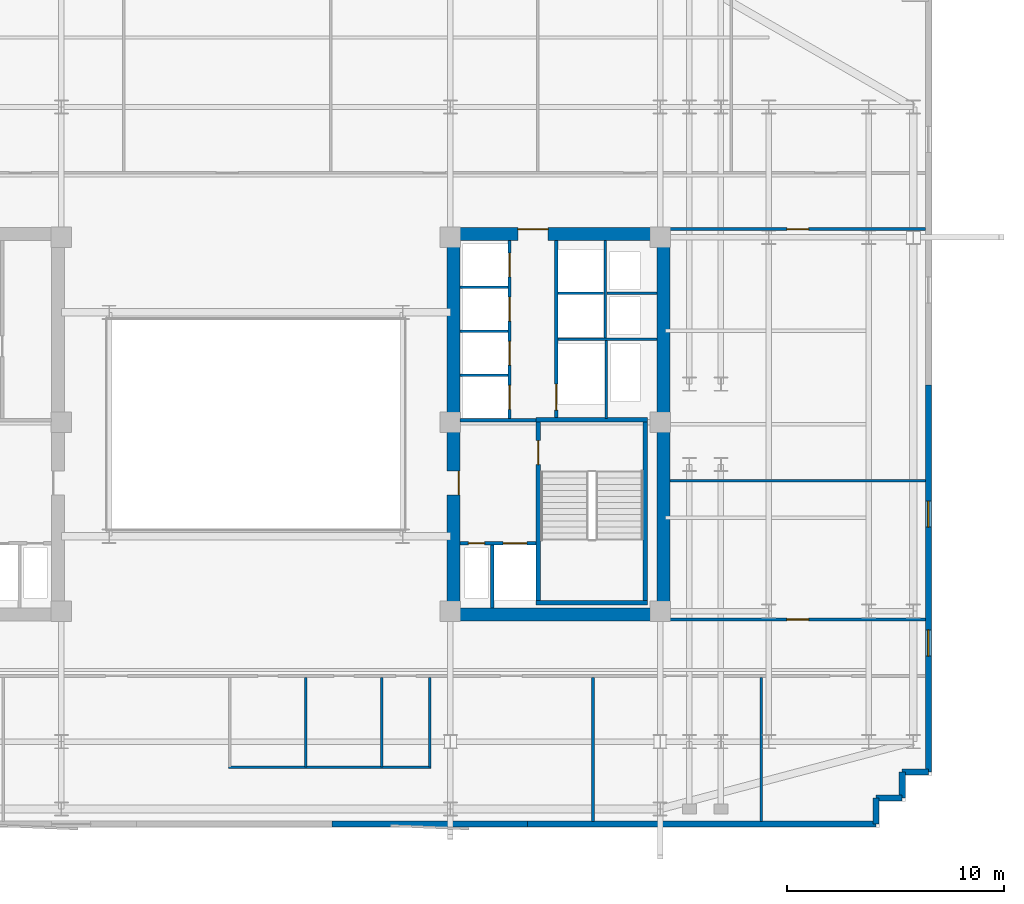
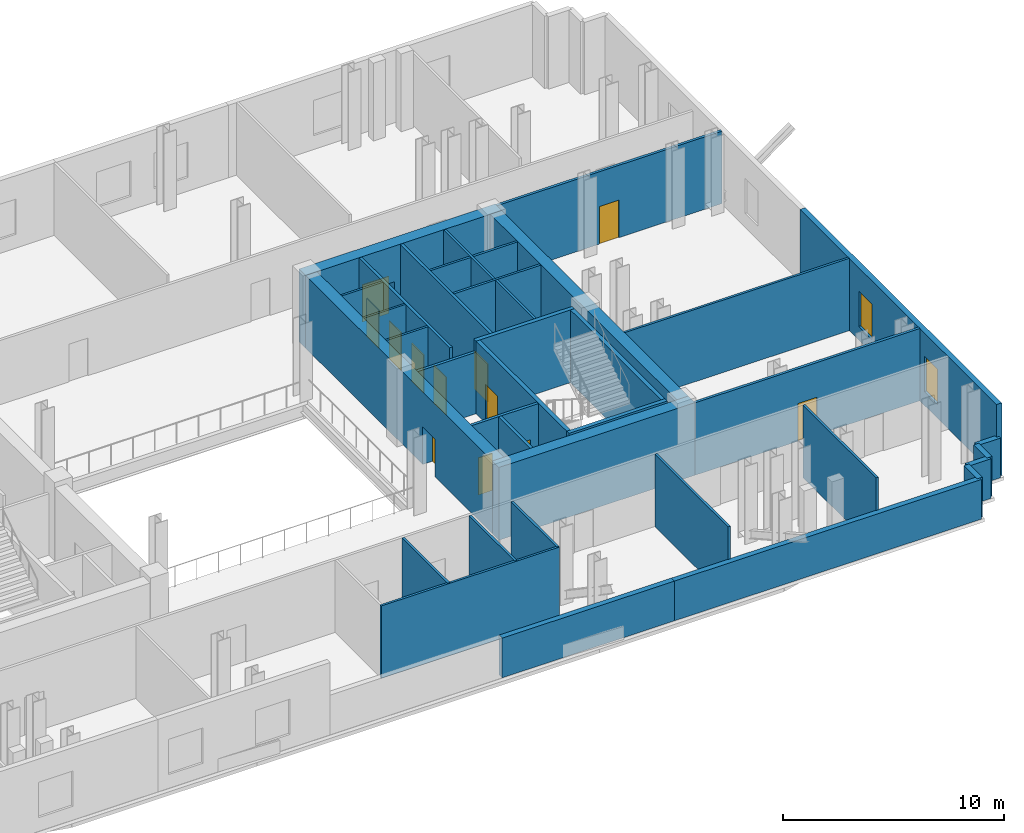
# One storey, part 6 of 9: 37 walls, 12 doors, 2 windows, 14 openings.
"""IFC4 building model written with IfcOpenShell, lengths in metres."""

import ifcopenshell
import ifcopenshell.guid

model = None  # the IFC model being written
_history = None  # IfcOwnerHistory: only IFC2X3 demands one
_inside = {}  # id of a spatial element -> (the spatial element, [elements in it])
_under = {}  # id of a project, library or spatial element -> (it, [spatial elements below it])
_declared = {}  # id of a project -> (the project, [libraries it declares])
_typed = {}  # id of a type object -> (the type object, [elements of that type])
_made_of = {}  # id of a material, layer set ... -> (it, [elements and type objects made of it])


def new_model(schema):
    """Start an empty IFC model of exactly this schema.

    Asked for "IFC4X3", IfcOpenShell would pick the latest addendum, in which some entities
    have other attributes; the version numbers below select the first issue.
    IFC2X3 requires an IfcOwnerHistory on every rooted entity: one is made here for all.
    """
    global model, _history
    if schema == "IFC4X3":
        model = ifcopenshell.file(schema_version=(4, 3, 0, 0))
    else:
        model = ifcopenshell.file(schema=schema)
    _inside.clear()
    _under.clear()
    _declared.clear()
    _typed.clear()
    _made_of.clear()
    _history = None
    if model.schema == "IFC2X3":
        org = make("IfcOrganization", Name="unknown")
        user = make(
            "IfcPersonAndOrganization",
            ThePerson=make("IfcPerson", FamilyName="unknown"),
            TheOrganization=org,
        )
        app = make(
            "IfcApplication",
            ApplicationDeveloper=org,
            Version="unknown",
            ApplicationFullName="unknown",
            ApplicationIdentifier="unknown",
        )
        _history = make(
            "IfcOwnerHistory",
            OwningUser=user,
            OwningApplication=app,
            ChangeAction="ADDED",
            CreationDate=0,
        )
    return model


def make(cls, **values):
    """One entity of the class cls with the attributes given. An attribute that is None is left unset."""
    return model.create_entity(
        cls, **{name: value for name, value in values.items() if value is not None}
    )


def rooted(cls, **values):
    """An entity with a GlobalId (a new one), such as an element, a storey or a relation."""
    return make(cls, GlobalId=ifcopenshell.guid.new(), OwnerHistory=_history, **values)


def si_unit(unit_type, name, prefix=None):
    """IfcSIUnit, for example si_unit("LENGTHUNIT", "METRE", prefix="MILLI")."""
    return make("IfcSIUnit", UnitType=unit_type, Prefix=prefix, Name=name)


def assignment(units):
    """IfcUnitAssignment: the units of a project."""
    return None if units is None else make("IfcUnitAssignment", Units=units)


def point(xyz):
    """IfcCartesianPoint."""
    return None if xyz is None else make("IfcCartesianPoint", Coordinates=xyz)


def direction(xyz):
    """IfcDirection."""
    return None if xyz is None else make("IfcDirection", DirectionRatios=xyz)


def frame(location, z_axis=None, x_axis=None):
    """IfcAxis2Placement3D, a coordinate frame: its origin and axes. An axis left out is left unset."""
    return make(
        "IfcAxis2Placement3D",
        Location=point(location),
        Axis=direction(z_axis),
        RefDirection=direction(x_axis),
    )


def frame_2d(location, x_axis=None):
    """IfcAxis2Placement2D, a coordinate frame in the plane: its origin and x axis."""
    return make(
        "IfcAxis2Placement2D", Location=point(location), RefDirection=direction(x_axis)
    )


def origin():
    """The frame at (0, 0, 0) with its axes left unset."""
    return frame((0.0, 0.0, 0.0))


def place(relative_to, where):
    """IfcLocalPlacement: puts the frame where relative to a parent placement (None: the world)."""
    return make(
        "IfcLocalPlacement", PlacementRelTo=relative_to, RelativePlacement=where
    )


def context(
    kind, dimensions, precision=None, world=None, true_north=None, identifier=None
):
    """IfcGeometricRepresentationContext, for example the 3D "Model" context."""
    return make(
        "IfcGeometricRepresentationContext",
        ContextIdentifier=identifier,
        ContextType=kind,
        CoordinateSpaceDimension=dimensions,
        Precision=precision,
        WorldCoordinateSystem=world,
        TrueNorth=true_north,
    )


def subcontext(parent, identifier, kind, view, scale=None):
    """IfcGeometricRepresentationSubContext, for example "Body" below "Model"."""
    return make(
        "IfcGeometricRepresentationSubContext",
        ContextIdentifier=identifier,
        ContextType=kind,
        ParentContext=parent,
        TargetScale=scale,
        TargetView=view,
    )


def project(units=None, contexts=None):
    """IfcProject with its units and contexts."""
    return rooted(
        "IfcProject",
        Name="project",
        RepresentationContexts=contexts,
        UnitsInContext=assignment(units),
    )


def spatial(cls, under=None, at=None, **own):
    """A site, building, storey or space (cls), placed at a placement, below another one or the project."""
    s = rooted(cls, ObjectPlacement=at, **own)
    if under is not None:
        _under.setdefault(under.id(), (under, []))[1].append(s)
    return s


def profile(cls, at=None, kind="AREA", **sizes):
    """A parametric profile (cls). Its sizes go by their IFC names, for example OverallWidth=200.0."""
    return make(cls, ProfileType=kind, Position=at, **sizes)


def rectangle(**sizes):
    """IfcRectangleProfileDef."""
    return profile("IfcRectangleProfileDef", **sizes)


def extrude(swept, where, along, depth):
    """IfcExtrudedAreaSolid: the profile swept, set in the frame where, extruded along a direction by depth."""
    return make(
        "IfcExtrudedAreaSolid",
        SweptArea=swept,
        Position=where,
        ExtrudedDirection=direction(along),
        Depth=depth,
    )


def shape(context_of_items, identifier, shape_type, items):
    """IfcShapeRepresentation: the items that make up one representation, for example the "Body"."""
    return make(
        "IfcShapeRepresentation",
        ContextOfItems=context_of_items,
        RepresentationIdentifier=identifier,
        RepresentationType=shape_type,
        Items=items,
    )


def material(Name=None, Category=None):
    """IfcMaterial."""
    return make("IfcMaterial", Name=Name, Category=Category)


def layer(
    of_material, thickness, ventilated=None, Name=None, Category=None, Priority=None
):
    """IfcMaterialLayer: one layer of a wall or slab, of a material (None: an air gap)."""
    return make(
        "IfcMaterialLayer",
        Material=of_material,
        LayerThickness=thickness,
        IsVentilated=ventilated,
        Name=Name,
        Category=Category,
        Priority=Priority,
    )


def layer_set(layers, Name=None):
    """IfcMaterialLayerSet."""
    return make("IfcMaterialLayerSet", MaterialLayers=layers, LayerSetName=Name)


def made_of(thing, what):
    """Note that an element or type object is made of a material, layer set ...; save() writes the relation."""
    if what is not None:
        _made_of.setdefault(what.id(), (what, []))[1].append(thing)
    return thing


def type_object(cls, material=None, **own):
    """A type object (cls), such as IfcWallType, which elements share."""
    return made_of(rooted(cls, **own), material)


def element(
    cls,
    number,
    at=None,
    inside=None,
    cuts=None,
    type_object=None,
    material=None,
    context=None,
    identifier="Body",
    shape_type=None,
    held_by="IfcProductDefinitionShape",
    body=None,
    shapes=None,
    **own,
):
    """One element of the class cls, such as IfcWall. Its Tag is "e" and its number.

    at: its placement. inside: the storey or other place that contains it. cuts: it is an
    opening in that element (IfcRelVoidsElement). A single representation is given by context,
    identifier, shape_type and body (its items); several are given by shapes. held_by: the class
    of the entity that holds the representations. save() writes the other relations.
    """
    e = rooted(cls, Tag="e%d" % number, ObjectPlacement=at, **own)
    if body is not None:
        shapes = [shape(context, identifier, shape_type, body)]
    if shapes is not None:
        e.Representation = make(held_by, Representations=shapes)
    if inside is not None:
        _inside.setdefault(inside.id(), (inside, []))[1].append(e)
    if cuts is not None:
        rooted(
            "IfcRelVoidsElement", RelatingBuildingElement=cuts, RelatedOpeningElement=e
        )
    if type_object is not None:
        _typed.setdefault(type_object.id(), (type_object, []))[1].append(e)
    return made_of(e, material)


def fill(opening, filler):
    """IfcRelFillsElement: the door or window that sits in an opening."""
    return rooted(
        "IfcRelFillsElement",
        RelatingOpeningElement=opening,
        RelatedBuildingElement=filler,
    )


def aggregate(whole, parts):
    """IfcRelAggregates: a whole, such as a stair, and the parts it consists of."""
    return rooted("IfcRelAggregates", RelatingObject=whole, RelatedObjects=parts)


def save(model, path):
    """Write the relations noted so far, then the file.

    IfcRelAggregates (storeys below a building ...), IfcRelContainedInSpatialStructure (elements
    in a storey), IfcRelDefinesByType, IfcRelAssociatesMaterial and IfcRelDeclares: one each for
    every whole, place, type object, material and project.
    """
    for whole, parts in _under.values():
        aggregate(whole, parts)
    for where, things in _inside.values():
        rooted(
            "IfcRelContainedInSpatialStructure",
            RelatedElements=things,
            RelatingStructure=where,
        )
    for kind, things in _typed.values():
        rooted("IfcRelDefinesByType", RelatedObjects=things, RelatingType=kind)
    for what, things in _made_of.values():
        rooted("IfcRelAssociatesMaterial", RelatedObjects=things, RelatingMaterial=what)
    for by, libraries in _declared.values():
        rooted("IfcRelDeclares", RelatingContext=by, RelatedDefinitions=libraries)
    model.write(path)


model = new_model("IFC4")

# Units and contexts
model_context = context("Model", 3, precision=1e-05, world=origin(), true_north=direction((0.0, 1.0)))
body_context = subcontext(model_context, "Body", "Model", "MODEL_VIEW")
ifc_project = project(units=[si_unit("LENGTHUNIT", "METRE"), si_unit("AREAUNIT", "SQUARE_METRE"), si_unit("VOLUMEUNIT", "CUBIC_METRE"), si_unit("PLANEANGLEUNIT", "RADIAN"), si_unit("MASSUNIT", "GRAM", prefix="KILO")], contexts=[model_context])

# Site, building, storey
site_placement = place(None, origin())
site = spatial("IfcSite", under=ifc_project, at=site_placement, CompositionType="ELEMENT")
building_placement = place(site_placement, origin())
building = spatial("IfcBuilding", under=site, at=building_placement, Name="Velakula Bourse", CompositionType="ELEMENT")
storey_placement = place(building_placement, frame((0.0, 0.0, 151.89990234375)))
storey = spatial("IfcBuildingStorey", under=building, at=storey_placement, Name="L41", CompositionType="ELEMENT", Elevation=151.89990234375)

# Wall, opening, door
ifc_material_1 = material(Name="Concrete M50 (fck 50 MPa)", Category="concrete")
ifc_layer_1 = layer(ifc_material_1, 0.2099609375, Name="Concrete M50 (fck 50 MPa)", Category="concrete")
ifc_layer_set_1 = layer_set([ifc_layer_1], Name="Concrete M50 (fck 50 MPa)")
wall_type_1 = type_object("IfcWallType", Name="WL-CORE-210", PredefinedType="SHEAR", material=ifc_layer_set_1)
wall_1_placement = place(storey_placement, frame((12.9951171875, -8.10009765625, 0.0), z_axis=(0.0, 0.0, 1.0), x_axis=(0.0, 1.0, 0.0)))
wall_1 = element("IfcWall", 1, at=wall_1_placement, inside=storey, type_object=wall_type_1, Name="L41 Core E Stairwell Shear Wall IN", PredefinedType="SHEAR", context=body_context, shape_type="SweptSolid", body=[
    extrude(rectangle(XDim=8.2001953125, YDim=0.2099609375, at=frame_2d((4.10009765625, 0.0))), origin(), (0.0, 0.0, 1.0), 4.02001953125),
])
opening_1_placement = place(wall_1_placement, frame((6.25, 0.0, 0.0)))
opening_1 = element("IfcOpeningElement", 2, at=opening_1_placement, cuts=wall_1, Name="Opening D-STE1", PredefinedType="OPENING", context=body_context, shape_type="SweptSolid", body=[
    extrude(rectangle(XDim=1.10009765625, YDim=2.14990234375, at=frame_2d((0.550048828125, 1.074951171875))), frame((0.0, 0.114990234375, 0.0), z_axis=(0.0, -1.0, 0.0), x_axis=(1.0, 0.0, 0.0)), (0.0, 0.0, 1.0), 0.22998046875),
])
ifc_material_2 = material(Name="Galvanised painted hollow steel fire door", Category="steel")
door_type_1 = type_object("IfcDoorType", Name="DR-FD120-1100x2150", OperationType="NOTDEFINED", PredefinedType="DOOR", material=ifc_material_2)
door_1_placement = place(opening_1_placement, origin())
door_1 = element("IfcDoor", 3, at=door_1_placement, inside=storey, type_object=door_type_1, Name="L41 Stair ST-E1 Fire Door", OperationType="SINGLE_SWING_RIGHT", OverallHeight=2.14990234375, OverallWidth=1.10009765625, PredefinedType="DOOR", context=body_context, shape_type="SweptSolid", body=[
    extrude(rectangle(XDim=1.10009765625, YDim=2.14990234375, at=frame_2d((0.550048828125, 1.074951171875))), frame((0.0, 0.02490234375, 0.0), z_axis=(0.0, -1.0, 0.0), x_axis=(1.0, 0.0, 0.0)), (0.0, 0.0, 1.0), 0.050048828125),
])
fill(opening_1, door_1)

# Walls
wall_2_placement = place(storey_placement, frame((17.925048828125, -8.10009765625, 0.0), z_axis=(0.0, 0.0, 1.0), x_axis=(0.0, 1.0, 0.0)))
element("IfcWall", 4, at=wall_2_placement, inside=storey, type_object=wall_type_1, Name="L41 Core E Stairwell Shear Wall OUT", PredefinedType="SHEAR", context=body_context, shape_type="SweptSolid", body=[
    extrude(rectangle(XDim=8.2001953125, YDim=0.2099609375, at=frame_2d((4.10009765625, 0.0))), origin(), (0.0, 0.0, 1.0), 4.02001953125),
])
for number, where, z_axis, x_axis, name in (
    (5, (12.889892578125, -8.205078125, 0.0), (0.0, 0.0, 1.0), (1.0, 0.0, 0.0), "L41 Core E Stairwell Shear Wall S"),
    (6, (18.030029296875, 0.205078125, 0.0), (0.0, 0.0, 1.0), (-1.0, 0.0, 0.0), "L41 Core E Stairwell Shear Wall N"),
):
    element("IfcWall", number, at=place(storey_placement, frame(where, z_axis=z_axis, x_axis=x_axis)), inside=storey, type_object=wall_type_1, Name=name, PredefinedType="SHEAR", context=body_context, shape_type="SweptSolid", body=[
        extrude(rectangle(XDim=5.14013671875, YDim=0.2099609375, at=frame_2d((2.570068359375, 0.0))), origin(), (0.0, 0.0, 1.0), 4.02001953125),
    ])
ifc_material_3 = material(Name="Concrete M70 (fck 70 MPa)", Category="concrete")
ifc_layer_2 = layer(ifc_material_3, 0.60009765625, Name="Concrete M70 (fck 70 MPa)", Category="concrete")
ifc_layer_set_2 = layer_set([ifc_layer_2], Name="Concrete M70 (fck 70 MPa)")
wall_type_2 = type_object("IfcWallType", Name="WL-CORE-600", PredefinedType="SHEAR", material=ifc_layer_set_2)
wall_3_placement = place(storey_placement, frame((8.800048828125, -8.75, 0.0), z_axis=(0.0, 0.0, 1.0), x_axis=(1.0, 0.0, 0.0)))
element("IfcWall", 7, at=wall_3_placement, inside=storey, type_object=wall_type_2, Name="L41 Core E Shear Wall S", PredefinedType="SHEAR", context=body_context, shape_type="SweptSolid", body=[
    extrude(rectangle(XDim=10.25, YDim=0.60009765625, at=frame_2d((5.125, 0.0))), origin(), (0.0, 0.0, 1.0), 4.02001953125),
])

# Wall, opening, door
wall_4_placement = place(storey_placement, frame((8.800048828125, 8.75, 0.0), z_axis=(0.0, 0.0, 1.0), x_axis=(1.0, 0.0, 0.0)))
wall_4 = element("IfcWall", 8, at=wall_4_placement, inside=storey, type_object=wall_type_2, Name="L41 Core E Shear Wall N", PredefinedType="SHEAR", context=body_context, shape_type="SweptSolid", body=[
    extrude(rectangle(XDim=10.25, YDim=0.60009765625, at=frame_2d((5.125, 0.0))), origin(), (0.0, 0.0, 1.0), 4.02001953125),
])
opening_2_placement = place(wall_4_placement, frame((3.25, 0.0, 0.0)))
opening_2 = element("IfcOpeningElement", 9, at=opening_2_placement, cuts=wall_4, Name="Opening D-LLE", PredefinedType="OPENING", context=body_context, shape_type="SweptSolid", body=[
    extrude(rectangle(XDim=1.39990234375, YDim=2.050048828125, at=frame_2d((0.699951171875, 1.02490234375))), frame((0.0, 0.31005859375, 0.0), z_axis=(0.0, -1.0, 0.0), x_axis=(1.0, 0.0, 0.0)), (0.0, 0.0, 1.0), 0.6201171875),
])
ifc_material_4 = material(Name="Fire-rated hardwood flush architectural door", Category="wood")
door_type_2 = type_object("IfcDoorType", Name="DR-DBL-FD60-1400", OperationType="DOUBLE_DOOR_SINGLE_SWING", PredefinedType="DOOR", material=ifc_material_4)
door_2_placement = place(opening_2_placement, origin())
door_2 = element("IfcDoor", 10, at=door_2_placement, inside=storey, type_object=door_type_2, Name="L41 Core E Lift Lobby Corridor Double Door", OperationType="DOUBLE_DOOR_SINGLE_SWING", OverallHeight=2.050048828125, OverallWidth=1.39990234375, PredefinedType="DOOR", context=body_context, shape_type="SweptSolid", body=[
    extrude(rectangle(XDim=1.39990234375, YDim=2.050048828125, at=frame_2d((0.699951171875, 1.02490234375))), frame((0.0, 0.2451171875, 0.0), z_axis=(0.0, -1.0, 0.0), x_axis=(1.0, 0.0, 0.0)), (0.0, 0.0, 1.0), 0.050048828125),
])
fill(opening_2, door_2)

wall_5_placement = place(storey_placement, frame((9.10009765625, -8.449951171875, 0.0), z_axis=(0.0, 0.0, 1.0), x_axis=(0.0, 1.0, 0.0)))
wall_5 = element("IfcWall", 11, at=wall_5_placement, inside=storey, type_object=wall_type_2, Name="L41 Core E Shear Wall W", PredefinedType="SHEAR", context=body_context, shape_type="SweptSolid", body=[
    extrude(rectangle(XDim=16.89990234375, YDim=0.60009765625, at=frame_2d((8.449951171875, 0.0))), origin(), (0.0, 0.0, 1.0), 4.02001953125),
])
opening_3_placement = place(wall_5_placement, frame((5.199951171875, 0.0, 0.0)))
opening_3 = element("IfcOpeningElement", 12, at=opening_3_placement, cuts=wall_5, Name="Opening D-FLE", PredefinedType="OPENING", context=body_context, shape_type="SweptSolid", body=[
    extrude(rectangle(XDim=1.10009765625, YDim=2.080078125, at=frame_2d((0.550048828125, 1.0400390625))), frame((0.0, 0.31005859375, 0.0), z_axis=(0.0, -1.0, 0.0), x_axis=(1.0, 0.0, 0.0)), (0.0, 0.0, 1.0), 0.6201171875),
])
door_type_3 = type_object("IfcDoorType", Name="DR-FD120-1100", OperationType="NOTDEFINED", PredefinedType="DOOR", material=ifc_material_2)
door_3_placement = place(opening_3_placement, origin())
door_3 = element("IfcDoor", 13, at=door_3_placement, inside=storey, type_object=door_type_3, Name="L41 Firefighting Lobby E Corridor Fire Door", OperationType="SINGLE_SWING_RIGHT", OverallHeight=2.080078125, OverallWidth=1.10009765625, PredefinedType="DOOR", context=body_context, shape_type="SweptSolid", body=[
    extrude(rectangle(XDim=1.10009765625, YDim=2.080078125, at=frame_2d((0.550048828125, 1.0400390625))), frame((0.0, -0.205078125, 0.0), z_axis=(0.0, -1.0, 0.0), x_axis=(1.0, 0.0, 0.0)), (0.0, 0.0, 1.0), 0.050048828125),
])
fill(opening_3, door_3)

# Walls
wall_6_placement = place(storey_placement, frame((18.75, -8.449951171875, 0.0), z_axis=(0.0, 0.0, 1.0), x_axis=(0.0, 1.0, 0.0)))
element("IfcWall", 14, at=wall_6_placement, inside=storey, type_object=wall_type_2, Name="L41 Core E Shear Wall E", PredefinedType="SHEAR", context=body_context, shape_type="SweptSolid", body=[
    extrude(rectangle(XDim=16.89990234375, YDim=0.60009765625, at=frame_2d((8.449951171875, 0.0))), origin(), (0.0, 0.0, 1.0), 4.02001953125),
])
ifc_material_5 = material(Name="Red kilned clay facing brick masonry", Category="masonry")
ifc_layer_3 = layer(ifc_material_5, 0.280029296875, Name="Red kilned clay facing brick masonry", Category="masonry")
ifc_layer_set_3 = layer_set([ifc_layer_3], Name="Red kilned clay facing brick masonry")
wall_type_3 = type_object("IfcWallType", Name="WL-EXT-BRK-280", PredefinedType="STANDARD", material=ifc_layer_set_3)
wall_7_placement = place(storey_placement, frame((12.5, -18.389892578125, 0.0), z_axis=(0.0, 0.0, 1.0), x_axis=(-1.0, 0.0, 0.0)))
element("IfcWall", 15, at=wall_7_placement, inside=storey, type_object=wall_type_3, Name="L41 S Brick Spandrel Wall B4", PredefinedType="STANDARD", context=body_context, shape_type="SweptSolid", body=[
    extrude(rectangle(XDim=9.0, YDim=0.280029296875, at=frame_2d((4.5, 0.0))), origin(), (0.0, 0.0, 1.0), 2.195068359375),
])
wall_8_placement = place(storey_placement, frame((28.5400390625, -18.389892578125, 0.0), z_axis=(0.0, 0.0, 1.0), x_axis=(-1.0, 0.0, 0.0)))
element("IfcWall", 16, at=wall_8_placement, inside=storey, type_object=wall_type_3, Name="L41 S Brick Spandrel Wall B5", PredefinedType="STANDARD", context=body_context, shape_type="SweptSolid", body=[
    extrude(rectangle(XDim=16.0400390625, YDim=0.280029296875, at=frame_2d((8.02001953125, 0.0))), origin(), (0.0, 0.0, 1.0), 2.195068359375),
])

# Wall, openings, windows
wall_9_placement = place(storey_placement, frame((30.93994140625, 1.800048828125, 0.0), z_axis=(0.0, 0.0, 1.0), x_axis=(0.0, -1.0, 0.0)))
wall_9 = element("IfcWall", 17, at=wall_9_placement, inside=storey, type_object=wall_type_3, Name="L41 E Brick End Wall W1", PredefinedType="STANDARD", context=body_context, shape_type="SweptSolid", body=[
    extrude(rectangle(XDim=17.7900390625, YDim=0.280029296875, at=frame_2d((8.89501953125, 0.0))), origin(), (0.0, 0.0, 1.0), 4.0),
])
opening_4_placement = place(wall_9_placement, frame((5.330078125, 0.0, 0.760009765625)))
opening_4 = element("IfcOpeningElement", 18, at=opening_4_placement, cuts=wall_9, Name="Opening W-04", PredefinedType="OPENING", context=body_context, shape_type="SweptSolid", body=[
    extrude(rectangle(XDim=1.199951171875, YDim=1.949951171875, at=frame_2d((0.60009765625, 0.97509765625))), frame((0.0, 0.14990234375, 0.0), z_axis=(0.0, -1.0, 0.0), x_axis=(1.0, 0.0, 0.0)), (0.0, 0.0, 1.0), 0.300048828125),
])
opening_5_placement = place(wall_9_placement, frame((11.260009765625, 0.0, 0.760009765625)))
opening_5 = element("IfcOpeningElement", 19, at=opening_5_placement, cuts=wall_9, Name="Opening W-04", PredefinedType="OPENING", context=body_context, shape_type="SweptSolid", body=[
    extrude(rectangle(XDim=1.199951171875, YDim=1.949951171875, at=frame_2d((0.60009765625, 0.97509765625))), frame((0.0, 0.14990234375, 0.0), z_axis=(0.0, -1.0, 0.0), x_axis=(1.0, 0.0, 0.0)), (0.0, 0.0, 1.0), 0.300048828125),
])
ifc_material_6 = material(Name="Double-glazed solar-control Low-E glass", Category="glass")
window_type = type_object("IfcWindowType", Name="WIN-TWR-1200x2100", PartitioningType="SINGLE_PANEL", PredefinedType="WINDOW", material=ifc_material_6)
window_1_placement = place(opening_4_placement, origin())
window_1 = element("IfcWindow", 20, at=window_1_placement, inside=storey, type_object=window_type, Name="L41 Deep-Set Recessed Window 1", OverallHeight=1.949951171875, OverallWidth=1.199951171875, PartitioningType="SINGLE_PANEL", PredefinedType="WINDOW", context=body_context, shape_type="SweptSolid", body=[
    extrude(rectangle(XDim=1.199951171875, YDim=1.949951171875, at=frame_2d((0.60009765625, 0.97509765625))), frame((0.0, 0.030029296875, 0.0), z_axis=(0.0, -1.0, 0.0), x_axis=(1.0, 0.0, 0.0)), (0.0, 0.0, 1.0), 0.06005859375),
])
fill(opening_4, window_1)
window_2_placement = place(opening_5_placement, origin())
window_2 = element("IfcWindow", 21, at=window_2_placement, inside=storey, type_object=window_type, Name="L41 Deep-Set Recessed Window 2", OverallHeight=1.949951171875, OverallWidth=1.199951171875, PartitioningType="SINGLE_PANEL", PredefinedType="WINDOW", context=body_context, shape_type="SweptSolid", body=[
    extrude(rectangle(XDim=1.199951171875, YDim=1.949951171875, at=frame_2d((0.60009765625, 0.97509765625))), frame((0.0, 0.030029296875, 0.0), z_axis=(0.0, -1.0, 0.0), x_axis=(1.0, 0.0, 0.0)), (0.0, 0.0, 1.0), 0.06005859375),
])
fill(opening_5, window_2)

# Walls
for number, where, z_axis, x_axis, name in (
    (22, (28.5400390625, -18.389892578125, 0.0), (0.0, 0.0, 1.0), (0.0, 1.0, 0.0), "L41 Serrated Corner Brick Wall SE-1"),
    (23, (28.5400390625, -17.18994140625, 0.0), (0.0, 0.0, 1.0), (1.0, 0.0, 0.0), "L41 Serrated Corner Brick Wall SE-2"),
    (24, (29.739990234375, -17.18994140625, 0.0), (0.0, 0.0, 1.0), (0.0, 1.0, 0.0), "L41 Serrated Corner Brick Wall SE-3"),
    (25, (29.739990234375, -15.989990234375, 0.0), (0.0, 0.0, 1.0), (1.0, 0.0, 0.0), "L41 Serrated Corner Brick Wall SE-4"),
):
    element("IfcWall", number, at=place(storey_placement, frame(where, z_axis=z_axis, x_axis=x_axis)), inside=storey, type_object=wall_type_3, Name=name, PredefinedType="STANDARD", context=body_context, shape_type="SweptSolid", body=[
        extrude(rectangle(XDim=1.199951171875, YDim=0.280029296875, at=frame_2d((0.60009765625, 0.0))), origin(), (0.0, 0.0, 1.0), 2.195068359375),
    ])
ifc_material_7 = material(Name="Fire-rated double-layer gypsum drywall partition", Category="gypsum")
ifc_layer_4 = layer(ifc_material_7, 0.1201171875, Name="Fire-rated double-layer gypsum drywall partition", Category="gypsum")
ifc_layer_set_4 = layer_set([ifc_layer_4], Name="Fire-rated double-layer gypsum drywall partition")
wall_type_4 = type_object("IfcWallType", Name="WL-PART-120", PredefinedType="STANDARD", material=ifc_layer_set_4)
for number, where, z_axis, x_axis, name in (
    (26, (9.39990234375, 2.2548828125, 0.0), (0.0, 0.0, 1.0), (1.0, 0.0, 0.0), "L41 Interior Partition WL-CRE-L41-BDIV-0"),
    (27, (9.39990234375, 4.284912109375, 0.0), (0.0, 0.0, 1.0), (1.0, 0.0, 0.0), "L41 Interior Partition WL-CRE-L41-BDIV-1"),
    (28, (9.39990234375, 6.31494140625, 0.0), (0.0, 0.0, 1.0), (1.0, 0.0, 0.0), "L41 Interior Partition WL-CRE-L41-BDIV-2"),
):
    element("IfcWall", number, at=place(storey_placement, frame(where, z_axis=z_axis, x_axis=x_axis)), inside=storey, type_object=wall_type_4, Name=name, PredefinedType="STANDARD", context=body_context, shape_type="SweptSolid", body=[
        extrude(rectangle(XDim=2.2001953125, YDim=0.110107421875, at=frame_2d((1.10009765625, 0.0))), origin(), (0.0, 0.0, 1.0), 4.0),
    ])
wall_10_placement = place(storey_placement, frame((13.89990234375, 3.919921875, 0.0), z_axis=(0.0, 0.0, 1.0), x_axis=(1.0, 0.0, 0.0)))
element("IfcWall", 29, at=wall_10_placement, inside=storey, type_object=wall_type_4, Name="L41 Interior Partition WL-CRE-L41-HI-S", PredefinedType="STANDARD", context=body_context, shape_type="SweptSolid", body=[
    extrude(rectangle(XDim=4.550048828125, YDim=0.1201171875, at=frame_2d((2.27490234375, 0.0))), origin(), (0.0, 0.0, 1.0), 4.0),
])
wall_11_placement = place(storey_placement, frame((16.14990234375, 6.030029296875, 0.0), z_axis=(0.0, 0.0, 1.0), x_axis=(1.0, 0.0, 0.0)))
element("IfcWall", 30, at=wall_11_placement, inside=storey, type_object=wall_type_4, Name="L41 Interior Partition WL-CRE-L41-RIS-MID", PredefinedType="STANDARD", context=body_context, shape_type="SweptSolid", body=[
    extrude(rectangle(XDim=2.300048828125, YDim=0.1201171875, at=frame_2d((1.14990234375, 0.0))), origin(), (0.0, 0.0, 1.0), 4.0),
])
wall_12_placement = place(storey_placement, frame((16.074951171875, 3.97998046875, 0.0), z_axis=(0.0, 0.0, 1.0), x_axis=(0.0, 1.0, 0.0)))
element("IfcWall", 31, at=wall_12_placement, inside=storey, type_object=wall_type_4, Name="L41 Interior Partition WL-CRE-L41-RIS-F", PredefinedType="STANDARD", context=body_context, shape_type="SweptSolid", body=[
    extrude(rectangle(XDim=4.469970703125, YDim=0.1201171875, at=frame_2d((2.23486328125, 0.0))), origin(), (0.0, 0.0, 1.0), 4.0),
])
wall_13_placement = place(storey_placement, frame((13.89990234375, 6.030029296875, 0.0), z_axis=(0.0, 0.0, 1.0), x_axis=(1.0, 0.0, 0.0)))
element("IfcWall", 32, at=wall_13_placement, inside=storey, type_object=wall_type_4, Name="L41 Interior Partition WL-CRE-L41-HI-DIV", PredefinedType="STANDARD", context=body_context, shape_type="SweptSolid", body=[
    extrude(rectangle(XDim=2.10009765625, YDim=0.1201171875, at=frame_2d((1.050048828125, 0.0))), origin(), (0.0, 0.0, 1.0), 4.0),
])
wall_14_placement = place(storey_placement, frame((16.125, 0.27001953125, 0.0), z_axis=(0.0, 0.0, 1.0), x_axis=(0.0, 1.0, 0.0)))
element("IfcWall", 33, at=wall_14_placement, inside=storey, type_object=wall_type_4, Name="L41 Interior Partition WL-CRE-L41-SVL-E", PredefinedType="STANDARD", context=body_context, shape_type="SweptSolid", body=[
    extrude(rectangle(XDim=3.590087890625, YDim=0.1201171875, at=frame_2d((1.794921875, 0.0))), origin(), (0.0, 0.0, 1.0), 4.0),
])
wall_15_placement = place(storey_placement, frame((-1.260009765625, -15.77001953125, 0.0), z_axis=(0.0, 0.0, 1.0), x_axis=(1.0, 0.0, 0.0)))
element("IfcWall", 34, at=wall_15_placement, inside=storey, type_object=wall_type_4, Name="L41 Interior Partition WL-WC-L41-BACK", PredefinedType="STANDARD", context=body_context, shape_type="SweptSolid", body=[
    extrude(rectangle(XDim=9.320068359375, YDim=0.1201171875, at=frame_2d((4.66015625, 0.0))), origin(), (0.0, 0.0, 1.0), 4.0),
])
for number, where, z_axis, x_axis, name in (
    (35, (2.300048828125, -15.77001953125, 0.0), (0.0, 0.0, 1.0), (0.0, 1.0, 0.0), "L41 Interior Partition WL-WC-L41-V2"),
    (36, (5.800048828125, -15.77001953125, 0.0), (0.0, 0.0, 1.0), (0.0, 1.0, 0.0), "L41 Interior Partition WL-WC-L41-V3"),
    (37, (8.0, -15.77001953125, 0.0), (0.0, 0.0, 1.0), (0.0, 1.0, 0.0), "L41 Interior Partition WL-WC-L41-V4"),
):
    element("IfcWall", number, at=place(storey_placement, frame(where, z_axis=z_axis, x_axis=x_axis)), inside=storey, type_object=wall_type_4, Name=name, PredefinedType="STANDARD", context=body_context, shape_type="SweptSolid", body=[
        extrude(rectangle(XDim=4.130126953125, YDim=0.1201171875, at=frame_2d((2.06494140625, 0.0))), origin(), (0.0, 0.0, 1.0), 4.0),
    ])
for number, where, z_axis, x_axis, name in (
    (38, (15.510986328125, -18.27001953125, 0.0), (0.0, 0.0, 1.0), (0.0, 1.0, 0.0), "L41 Interior Partition WL-INT-L41-SR-D7"),
    (39, (23.2490234375, -18.27001953125, 0.0), (0.0, 0.0, 1.0), (0.0, 1.0, 0.0), "L41 Interior Partition WL-INT-L41-SR-D8"),
):
    element("IfcWall", number, at=place(storey_placement, frame(where, z_axis=z_axis, x_axis=x_axis)), inside=storey, type_object=wall_type_4, Name=name, PredefinedType="STANDARD", context=body_context, shape_type="SweptSolid", body=[
        extrude(rectangle(XDim=6.630126953125, YDim=0.1201171875, at=frame_2d((3.31494140625, 0.0))), origin(), (0.0, 0.0, 1.0), 4.0),
    ])
wall_16_placement = place(storey_placement, frame((19.050048828125, -2.60009765625, 0.0), z_axis=(0.0, 0.0, 1.0), x_axis=(1.0, 0.0, 0.0)))
element("IfcWall", 40, at=wall_16_placement, inside=storey, type_object=wall_type_4, Name="L41 Interior Partition WL-INT-L41-E-H", PredefinedType="STANDARD", context=body_context, shape_type="SweptSolid", body=[
    extrude(rectangle(XDim=11.77001953125, YDim=0.1201171875, at=frame_2d((5.885009765625, 0.0))), origin(), (0.0, 0.0, 1.0), 4.0),
])

# Wall, opening, door
ifc_layer_5 = layer(ifc_material_7, 0.139892578125, Name="Fire-rated double-layer gypsum drywall partition", Category="gypsum")
ifc_layer_set_5 = layer_set([ifc_layer_5], Name="Fire-rated double-layer gypsum drywall partition")
wall_type_5 = type_object("IfcWallType", Name="WL-PART-140", PredefinedType="STANDARD", material=ifc_layer_set_5)
wall_17_placement = place(storey_placement, frame((19.050048828125, 8.97998046875, 0.0), z_axis=(0.0, 0.0, 1.0), x_axis=(1.0, 0.0, 0.0)))
wall_17 = element("IfcWall", 41, at=wall_17_placement, inside=storey, type_object=wall_type_5, Name="L41 Interior Partition WL-INT-L41-E-NC", PredefinedType="STANDARD", context=body_context, shape_type="SweptSolid", body=[
    extrude(rectangle(XDim=11.77001953125, YDim=0.139892578125, at=frame_2d((5.885009765625, 0.0))), origin(), (0.0, 0.0, 1.0), 4.0),
])
opening_6_placement = place(wall_17_placement, frame((5.385009765625, 0.0, 0.0)))
opening_6 = element("IfcOpeningElement", 42, at=opening_6_placement, cuts=wall_17, Name="Opening D-OF1", PredefinedType="OPENING", context=body_context, shape_type="SweptSolid", body=[
    extrude(rectangle(XDim=1.0, YDim=2.080078125, at=frame_2d((0.5, 1.0400390625))), frame((0.0, 0.079833984375, 0.0), z_axis=(0.0, -1.0, 0.0), x_axis=(1.0, 0.0, 0.0)), (0.0, 0.0, 1.0), 0.159912109375),
])
door_type_4 = type_object("IfcDoorType", Name="DR-OFF-1000", OperationType="NOTDEFINED", PredefinedType="DOOR", material=ifc_material_4)
door_4_placement = place(opening_6_placement, origin())
door_4 = element("IfcDoor", 43, at=door_4_placement, inside=storey, type_object=door_type_4, Name="L41 Chief Risk Officer Chamber Door", OperationType="SINGLE_SWING_LEFT", OverallHeight=2.080078125, OverallWidth=1.0, PredefinedType="DOOR", context=body_context, shape_type="SweptSolid", body=[
    extrude(rectangle(XDim=1.0, YDim=2.080078125, at=frame_2d((0.5, 1.0400390625))), frame((0.0, 0.02490234375, 0.0), z_axis=(0.0, -1.0, 0.0), x_axis=(1.0, 0.0, 0.0)), (0.0, 0.0, 1.0), 0.050048828125),
])
fill(opening_6, door_4)

wall_18_placement = place(storey_placement, frame((19.050048828125, -8.97998046875, 0.0), z_axis=(0.0, 0.0, 1.0), x_axis=(1.0, 0.0, 0.0)))
wall_18 = element("IfcWall", 44, at=wall_18_placement, inside=storey, type_object=wall_type_5, Name="L41 Interior Partition WL-INT-L41-E-SC", PredefinedType="STANDARD", context=body_context, shape_type="SweptSolid", body=[
    extrude(rectangle(XDim=11.77001953125, YDim=0.139892578125, at=frame_2d((5.885009765625, 0.0))), origin(), (0.0, 0.0, 1.0), 4.0),
])
opening_7_placement = place(wall_18_placement, frame((5.385009765625, 0.0, 0.0)))
opening_7 = element("IfcOpeningElement", 45, at=opening_7_placement, cuts=wall_18, Name="Opening D-OF1", PredefinedType="OPENING", context=body_context, shape_type="SweptSolid", body=[
    extrude(rectangle(XDim=1.0, YDim=2.080078125, at=frame_2d((0.5, 1.0400390625))), frame((0.0, 0.079833984375, 0.0), z_axis=(0.0, -1.0, 0.0), x_axis=(1.0, 0.0, 0.0)), (0.0, 0.0, 1.0), 0.159912109375),
])
door_5_placement = place(opening_7_placement, origin())
door_5 = element("IfcDoor", 46, at=door_5_placement, inside=storey, type_object=door_type_4, Name="L41 Derivatives Dealing Workspace Door", OperationType="SINGLE_SWING_RIGHT", OverallHeight=2.080078125, OverallWidth=1.0, PredefinedType="DOOR", context=body_context, shape_type="SweptSolid", body=[
    extrude(rectangle(XDim=1.0, YDim=2.080078125, at=frame_2d((0.5, 1.0400390625))), frame((0.0, 0.02490234375, 0.0), z_axis=(0.0, -1.0, 0.0), x_axis=(1.0, 0.0, 0.0)), (0.0, 0.0, 1.0), 0.050048828125),
])
fill(opening_7, door_5)

# Wall, openings, doors
ifc_material_8 = material(Name="Autoclaved aerated concrete blockwork masonry", Category="masonry")
ifc_layer_6 = layer(ifc_material_8, 0.14990234375, Name="Autoclaved aerated concrete blockwork masonry", Category="masonry")
ifc_layer_set_6 = layer_set([ifc_layer_6], Name="Autoclaved aerated concrete blockwork masonry")
wall_type_6 = type_object("IfcWallType", Name="WL-SHAFT-150", PredefinedType="STANDARD", material=ifc_layer_set_6)
wall_19_placement = place(storey_placement, frame((9.39990234375, -5.47509765625, 0.0), z_axis=(0.0, 0.0, 1.0), x_axis=(1.0, 0.0, 0.0)))
wall_19 = element("IfcWall", 47, at=wall_19_placement, inside=storey, type_object=wall_type_6, Name="L41 Interior Partition WL-CRE-L41-FFL-N", PredefinedType="STANDARD", context=body_context, shape_type="SweptSolid", body=[
    extrude(rectangle(XDim=3.4951171875, YDim=0.14990234375, at=frame_2d((1.74755859375, 0.0))), origin(), (0.0, 0.0, 1.0), 4.0),
])
opening_8_placement = place(wall_19_placement, frame((1.97509765625, 0.0, 0.0)))
opening_8 = element("IfcOpeningElement", 48, at=opening_8_placement, cuts=wall_19, Name="Opening LD-FFL-2", PredefinedType="OPENING", context=body_context, shape_type="SweptSolid", body=[
    extrude(rectangle(XDim=1.10009765625, YDim=2.14990234375, at=frame_2d((0.550048828125, 1.074951171875))), frame((0.0, 0.0849609375, 0.0), z_axis=(0.0, -1.0, 0.0), x_axis=(1.0, 0.0, 0.0)), (0.0, 0.0, 1.0), 0.169921875),
])
opening_9_placement = place(wall_19_placement, frame((0.375, 0.0, 0.0)))
opening_9 = element("IfcOpeningElement", 49, at=opening_9_placement, cuts=wall_19, Name="Opening D-RS1", PredefinedType="OPENING", context=body_context, shape_type="SweptSolid", body=[
    extrude(rectangle(XDim=0.75, YDim=2.050048828125, at=frame_2d((0.375, 1.02490234375))), frame((0.0, 0.0849609375, 0.0), z_axis=(0.0, -1.0, 0.0), x_axis=(1.0, 0.0, 0.0)), (0.0, 0.0, 1.0), 0.169921875),
])
door_type_5 = type_object("IfcDoorType", Name="DR-RISER-800", OperationType="NOTDEFINED", PredefinedType="DOOR", material=ifc_material_2)
door_6_placement = place(opening_9_placement, origin())
door_6 = element("IfcDoor", 50, at=door_6_placement, inside=storey, type_object=door_type_5, Name="L41 Fire Riser Access Door", OperationType="SINGLE_SWING_LEFT", OverallHeight=2.050048828125, OverallWidth=0.75, PredefinedType="DOOR", context=body_context, shape_type="SweptSolid", body=[
    extrude(rectangle(XDim=0.75, YDim=2.050048828125, at=frame_2d((0.375, 1.02490234375))), frame((0.0, 0.02490234375, 0.0), z_axis=(0.0, -1.0, 0.0), x_axis=(1.0, 0.0, 0.0)), (0.0, 0.0, 1.0), 0.050048828125),
])
fill(opening_9, door_6)
ifc_material_9 = material(Name="Brushed grade 316 stainless steel", Category="steel")
door_type_6 = type_object("IfcDoorType", Name="DR-SLIDE-FFL-1100", OperationType="DOUBLE_DOOR_SLIDING", PredefinedType="DOOR", material=ifc_material_9)
door_7_placement = place(opening_8_placement, origin())
door_7 = element("IfcDoor", 51, at=door_7_placement, inside=storey, type_object=door_type_6, Name="L41 Firefighting Lift FFL-2 Sliding Landing Door", OperationType="DOUBLE_DOOR_SLIDING", OverallHeight=2.14990234375, OverallWidth=1.10009765625, PredefinedType="DOOR", context=body_context, shape_type="SweptSolid", body=[
    extrude(rectangle(XDim=1.10009765625, YDim=2.14990234375, at=frame_2d((0.550048828125, 1.074951171875))), frame((0.0, 0.02490234375, 0.0), z_axis=(0.0, -1.0, 0.0), x_axis=(1.0, 0.0, 0.0)), (0.0, 0.0, 1.0), 0.050048828125),
])
fill(opening_8, door_7)

# Walls
wall_20_placement = place(storey_placement, frame((10.875, -8.449951171875, 0.0), z_axis=(0.0, 0.0, 1.0), x_axis=(0.0, 1.0, 0.0)))
element("IfcWall", 52, at=wall_20_placement, inside=storey, type_object=wall_type_6, Name="L41 Interior Partition WL-CRE-L41-FR-DIV", PredefinedType="STANDARD", context=body_context, shape_type="SweptSolid", body=[
    extrude(rectangle(XDim=2.89990234375, YDim=0.14990234375, at=frame_2d((1.449951171875, 0.0))), origin(), (0.0, 0.0, 1.0), 4.0),
])
wall_21_placement = place(storey_placement, frame((9.39990234375, 0.18994140625, 0.0), z_axis=(0.0, 0.0, 1.0), x_axis=(1.0, 0.0, 0.0)))
element("IfcWall", 53, at=wall_21_placement, inside=storey, type_object=wall_type_6, Name="L41 Interior Partition WL-CRE-L41-FF-TOP", PredefinedType="STANDARD", context=body_context, shape_type="SweptSolid", body=[
    extrude(rectangle(XDim=3.489990234375, YDim=0.14990234375, at=frame_2d((1.7451171875, 0.0))), origin(), (0.0, 0.0, 1.0), 3.39501953125),
])

# Wall, openings, doors
wall_22_placement = place(storey_placement, frame((11.675048828125, 0.27001953125, 0.0), z_axis=(0.0, 0.0, 1.0), x_axis=(0.0, 1.0, 0.0)))
wall_22 = element("IfcWall", 54, at=wall_22_placement, inside=storey, type_object=wall_type_6, Name="L41 Interior Partition WL-CRE-L41-BANK-F", PredefinedType="STANDARD", context=body_context, shape_type="SweptSolid", body=[
    extrude(rectangle(XDim=8.179931640625, YDim=0.14990234375, at=frame_2d((4.08984375, 0.0))), origin(), (0.0, 0.0, 1.0), 4.0),
])
opening_10_placement = place(wall_22_placement, frame((0.419921875, 0.0, 0.0)))
opening_10 = element("IfcOpeningElement", 55, at=opening_10_placement, cuts=wall_22, Name="Opening LD-P5", PredefinedType="OPENING", context=body_context, shape_type="SweptSolid", body=[
    extrude(rectangle(XDim=1.10009765625, YDim=2.10009765625, at=frame_2d((0.550048828125, 1.050048828125))), frame((0.0, 0.0849609375, 0.0), z_axis=(0.0, -1.0, 0.0), x_axis=(1.0, 0.0, 0.0)), (0.0, 0.0, 1.0), 0.169921875),
])
opening_11_placement = place(wall_22_placement, frame((2.449951171875, 0.0, 0.0)))
opening_11 = element("IfcOpeningElement", 56, at=opening_11_placement, cuts=wall_22, Name="Opening LD-P6", PredefinedType="OPENING", context=body_context, shape_type="SweptSolid", body=[
    extrude(rectangle(XDim=1.10009765625, YDim=2.10009765625, at=frame_2d((0.550048828125, 1.050048828125))), frame((0.0, 0.0849609375, 0.0), z_axis=(0.0, -1.0, 0.0), x_axis=(1.0, 0.0, 0.0)), (0.0, 0.0, 1.0), 0.169921875),
])
opening_12_placement = place(wall_22_placement, frame((4.47998046875, 0.0, 0.0)))
opening_12 = element("IfcOpeningElement", 57, at=opening_12_placement, cuts=wall_22, Name="Opening LD-P7", PredefinedType="OPENING", context=body_context, shape_type="SweptSolid", body=[
    extrude(rectangle(XDim=1.10009765625, YDim=2.10009765625, at=frame_2d((0.550048828125, 1.050048828125))), frame((0.0, 0.0849609375, 0.0), z_axis=(0.0, -1.0, 0.0), x_axis=(1.0, 0.0, 0.0)), (0.0, 0.0, 1.0), 0.169921875),
])
opening_13_placement = place(wall_22_placement, frame((6.510009765625, 0.0, 0.0)))
opening_13 = element("IfcOpeningElement", 58, at=opening_13_placement, cuts=wall_22, Name="Opening LD-P8", PredefinedType="OPENING", context=body_context, shape_type="SweptSolid", body=[
    extrude(rectangle(XDim=1.10009765625, YDim=2.10009765625, at=frame_2d((0.550048828125, 1.050048828125))), frame((0.0, 0.0849609375, 0.0), z_axis=(0.0, -1.0, 0.0), x_axis=(1.0, 0.0, 0.0)), (0.0, 0.0, 1.0), 0.169921875),
])
door_type_7 = type_object("IfcDoorType", Name="DR-SLIDE-LD-1100", OperationType="DOUBLE_DOOR_SLIDING", PredefinedType="DOOR", material=ifc_material_9)
door_8_placement = place(opening_10_placement, origin())
door_8 = element("IfcDoor", 59, at=door_8_placement, inside=storey, type_object=door_type_7, Name="L41 Passenger Lift P5 Sliding Landing Door", OperationType="DOUBLE_DOOR_SLIDING", OverallHeight=2.10009765625, OverallWidth=1.10009765625, PredefinedType="DOOR", context=body_context, shape_type="SweptSolid", body=[
    extrude(rectangle(XDim=1.10009765625, YDim=2.10009765625, at=frame_2d((0.550048828125, 1.050048828125))), frame((0.0, 0.02490234375, 0.0), z_axis=(0.0, -1.0, 0.0), x_axis=(1.0, 0.0, 0.0)), (0.0, 0.0, 1.0), 0.050048828125),
])
fill(opening_10, door_8)
door_9_placement = place(opening_11_placement, origin())
door_9 = element("IfcDoor", 60, at=door_9_placement, inside=storey, type_object=door_type_7, Name="L41 Passenger Lift P6 Sliding Landing Door", OperationType="DOUBLE_DOOR_SLIDING", OverallHeight=2.10009765625, OverallWidth=1.10009765625, PredefinedType="DOOR", context=body_context, shape_type="SweptSolid", body=[
    extrude(rectangle(XDim=1.10009765625, YDim=2.10009765625, at=frame_2d((0.550048828125, 1.050048828125))), frame((0.0, 0.02490234375, 0.0), z_axis=(0.0, -1.0, 0.0), x_axis=(1.0, 0.0, 0.0)), (0.0, 0.0, 1.0), 0.050048828125),
])
fill(opening_11, door_9)
door_10_placement = place(opening_12_placement, origin())
door_10 = element("IfcDoor", 61, at=door_10_placement, inside=storey, type_object=door_type_7, Name="L41 Passenger Lift P7 Sliding Landing Door", OperationType="DOUBLE_DOOR_SLIDING", OverallHeight=2.10009765625, OverallWidth=1.10009765625, PredefinedType="DOOR", context=body_context, shape_type="SweptSolid", body=[
    extrude(rectangle(XDim=1.10009765625, YDim=2.10009765625, at=frame_2d((0.550048828125, 1.050048828125))), frame((0.0, 0.02490234375, 0.0), z_axis=(0.0, -1.0, 0.0), x_axis=(1.0, 0.0, 0.0)), (0.0, 0.0, 1.0), 0.050048828125),
])
fill(opening_12, door_10)
door_11_placement = place(opening_13_placement, origin())
door_11 = element("IfcDoor", 62, at=door_11_placement, inside=storey, type_object=door_type_7, Name="L41 Passenger Lift P8 Sliding Landing Door", OperationType="DOUBLE_DOOR_SLIDING", OverallHeight=2.10009765625, OverallWidth=1.10009765625, PredefinedType="DOOR", context=body_context, shape_type="SweptSolid", body=[
    extrude(rectangle(XDim=1.10009765625, YDim=2.10009765625, at=frame_2d((0.550048828125, 1.050048828125))), frame((0.0, 0.02490234375, 0.0), z_axis=(0.0, -1.0, 0.0), x_axis=(1.0, 0.0, 0.0)), (0.0, 0.0, 1.0), 0.050048828125),
])
fill(opening_13, door_11)

# Wall, opening, door
wall_23_placement = place(storey_placement, frame((13.824951171875, 0.27001953125, 0.0), z_axis=(0.0, 0.0, 1.0), x_axis=(0.0, 1.0, 0.0)))
wall_23 = element("IfcWall", 63, at=wall_23_placement, inside=storey, type_object=wall_type_6, Name="L41 Interior Partition WL-CRE-L41-OUT-F", PredefinedType="STANDARD", context=body_context, shape_type="SweptSolid", body=[
    extrude(rectangle(XDim=8.179931640625, YDim=0.14990234375, at=frame_2d((4.08984375, 0.0))), origin(), (0.0, 0.0, 1.0), 4.0),
])
opening_14_placement = place(wall_23_placement, frame((0.3798828125, 0.0, 0.0)))
opening_14 = element("IfcOpeningElement", 64, at=opening_14_placement, cuts=wall_23, Name="Opening LD-SVL1", PredefinedType="OPENING", context=body_context, shape_type="SweptSolid", body=[
    extrude(rectangle(XDim=1.199951171875, YDim=2.10009765625, at=frame_2d((0.60009765625, 1.050048828125))), frame((0.0, 0.0849609375, 0.0), z_axis=(0.0, -1.0, 0.0), x_axis=(1.0, 0.0, 0.0)), (0.0, 0.0, 1.0), 0.169921875),
])
door_type_8 = type_object("IfcDoorType", Name="DR-SLIDE-LD-1200", OperationType="DOUBLE_DOOR_SLIDING", PredefinedType="DOOR", material=ifc_material_9)
door_12_placement = place(opening_14_placement, origin())
door_12 = element("IfcDoor", 65, at=door_12_placement, inside=storey, type_object=door_type_8, Name="L41 Service Lift SVL-1 Sliding Landing Door", OperationType="DOUBLE_DOOR_SLIDING", OverallHeight=2.10009765625, OverallWidth=1.199951171875, PredefinedType="DOOR", context=body_context, shape_type="SweptSolid", body=[
    extrude(rectangle(XDim=1.199951171875, YDim=2.10009765625, at=frame_2d((0.60009765625, 1.050048828125))), frame((0.0, 0.02490234375, 0.0), z_axis=(0.0, -1.0, 0.0), x_axis=(1.0, 0.0, 0.0)), (0.0, 0.0, 1.0), 0.050048828125),
])
fill(opening_14, door_12)

save(model, "model.ifc")
